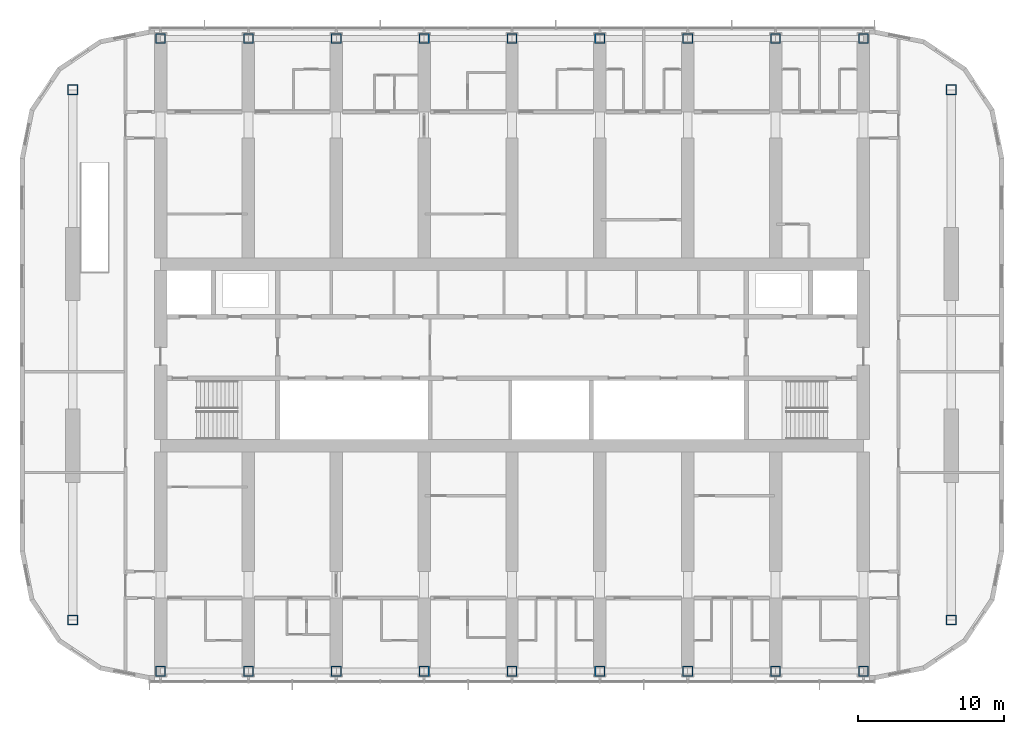
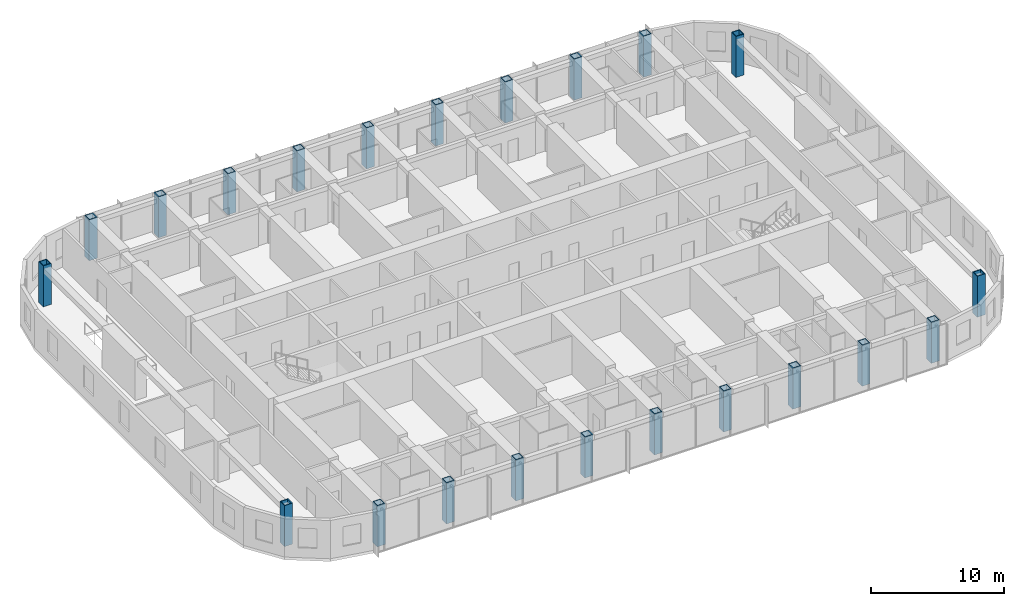
# One storey, part 1 of 22: 22 columns.
"""IFC4 building model written with IfcOpenShell, lengths in metres."""

from ifc_helpers import new_model, si_unit, direction, frame, origin, origin_2d, place, context, subcontext, project, spatial, hollow_rectangle, extrude, material, material_profile, profile_set, type_object, element, save


model = new_model("IFC4")

# Units and contexts
model_context = context("Model", 3, precision=1e-05, world=origin(), true_north=direction((0.0, 1.0)))
body_context = subcontext(model_context, "Body", "Model", "MODEL_VIEW")
ifc_project = project(units=[si_unit("LENGTHUNIT", "METRE"), si_unit("AREAUNIT", "SQUARE_METRE"), si_unit("VOLUMEUNIT", "CUBIC_METRE"), si_unit("PLANEANGLEUNIT", "RADIAN"), si_unit("MASSUNIT", "GRAM", prefix="KILO")], contexts=[model_context])

# Site, building, storey
site_placement = place(None, origin())
site = spatial("IfcSite", under=ifc_project, at=site_placement, CompositionType="ELEMENT")
building_placement = place(site_placement, origin())
building = spatial("IfcBuilding", under=site, at=building_placement, Name="Orbita Commons", CompositionType="ELEMENT")
storey_placement = place(building_placement, frame((0.0, 0.0, 167.35009765625)))
storey = spatial("IfcBuildingStorey", under=building, at=storey_placement, Name="L41", CompositionType="ELEMENT", Elevation=167.35009765625)

# Columns
ifc_material = material(Name="Steel ASTM A572 Gr 50 welded plate", Category="steel")
ifc_material_profile = material_profile(ifc_material, hollow_rectangle(XDim=0.699951171875, YDim=0.699951171875, WallThickness=0.070068359375, at=origin_2d()), Name="BOX 700x700x70")
ifc_profile_set = profile_set([ifc_material_profile], Name="Steel ASTM A572 Gr 50 welded plate")
column_type = type_object("IfcColumnType", Name="Steel column BOX 700x700x70", PredefinedType="COLUMN", material=ifc_profile_set)
for number, where, z_axis, x_axis, name in (
    (1, (18.0, 10.39990234375, 0.0), (0.0, 0.0, 1.0), (1.0, 0.0, 0.0), "Column 4/B L41"),
    (2, (18.0, 53.60009765625, 0.0), (0.0, 0.0, 1.0), (1.0, 0.0, 0.0), "Column 4/E L41"),
    (3, (24.0, 10.39990234375, 0.0), (0.0, 0.0, 1.0), (1.0, 0.0, 0.0), "Column 5/B L41"),
    (4, (24.0, 53.60009765625, 0.0), (0.0, 0.0, 1.0), (1.0, 0.0, 0.0), "Column 5/E L41"),
    (5, (30.0, 10.39990234375, 0.0), (0.0, 0.0, 1.0), (1.0, 0.0, 0.0), "Column 6/B L41"),
    (6, (30.0, 53.60009765625, 0.0), (0.0, 0.0, 1.0), (1.0, 0.0, 0.0), "Column 6/E L41"),
    (7, (36.0, 10.39990234375, 0.0), (0.0, 0.0, 1.0), (1.0, 0.0, 0.0), "Column 7/B L41"),
    (8, (36.0, 53.60009765625, 0.0), (0.0, 0.0, 1.0), (1.0, 0.0, 0.0), "Column 7/E L41"),
    (9, (42.0, 10.39990234375, 0.0), (0.0, 0.0, 1.0), (1.0, 0.0, 0.0), "Column 8/B L41"),
    (10, (42.0, 53.60009765625, 0.0), (0.0, 0.0, 1.0), (1.0, 0.0, 0.0), "Column 8/E L41"),
    (11, (48.0, 10.39990234375, 0.0), (0.0, 0.0, 1.0), (1.0, 0.0, 0.0), "Column 9/B L41"),
    (12, (48.0, 53.60009765625, 0.0), (0.0, 0.0, 1.0), (1.0, 0.0, 0.0), "Column 9/E L41"),
    (13, (54.0, 10.39990234375, 0.0), (0.0, 0.0, 1.0), (1.0, 0.0, 0.0), "Column 10/B L41"),
    (14, (54.0, 53.60009765625, 0.0), (0.0, 0.0, 1.0), (1.0, 0.0, 0.0), "Column 10/E L41"),
    (15, (60.0, 10.39990234375, 0.0), (0.0, 0.0, 1.0), (1.0, 0.0, 0.0), "Column 11/B L41"),
    (16, (60.0, 53.60009765625, 0.0), (0.0, 0.0, 1.0), (1.0, 0.0, 0.0), "Column 11/E L41"),
    (17, (66.0, 10.39990234375, 0.0), (0.0, 0.0, 1.0), (1.0, 0.0, 0.0), "Column 12/B L41"),
    (18, (66.0, 53.60009765625, 0.0), (0.0, 0.0, 1.0), (1.0, 0.0, 0.0), "Column 12/E L41"),
    (19, (12.0, 13.89990234375, 0.0), (0.0, 0.0, 1.0), (1.0, 0.0, 0.0), "Column 3/13.9 L41"),
    (20, (12.0, 50.10009765625, 0.0), (0.0, 0.0, 1.0), (1.0, 0.0, 0.0), "Column 3/50.1 L41"),
    (21, (72.0, 13.89990234375, 0.0), (0.0, 0.0, 1.0), (1.0, 0.0, 0.0), "Column 13/13.9 L41"),
    (22, (72.0, 50.10009765625, 0.0), (0.0, 0.0, 1.0), (1.0, 0.0, 0.0), "Column 13/50.1 L41"),
):
    element("IfcColumn", number, at=place(storey_placement, frame(where, z_axis=z_axis, x_axis=x_axis)), inside=storey, type_object=column_type, Name=name, PredefinedType="COLUMN", context=body_context, shape_type="SweptSolid", body=[
        extrude(hollow_rectangle(XDim=0.699951171875, YDim=0.699951171875, WallThickness=0.070068359375, at=origin_2d()), origin(), (0.0, 0.0, 1.0), 3.75),
    ])

save(model, "model.ifc")
